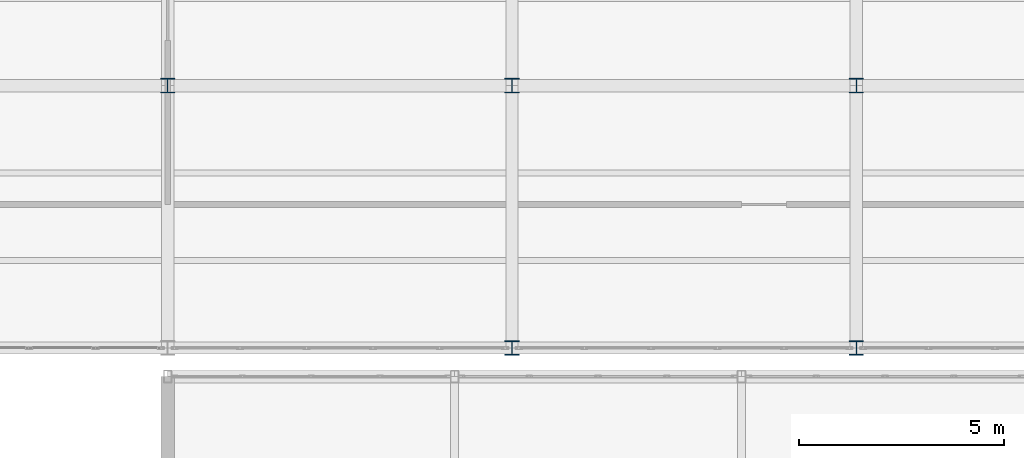
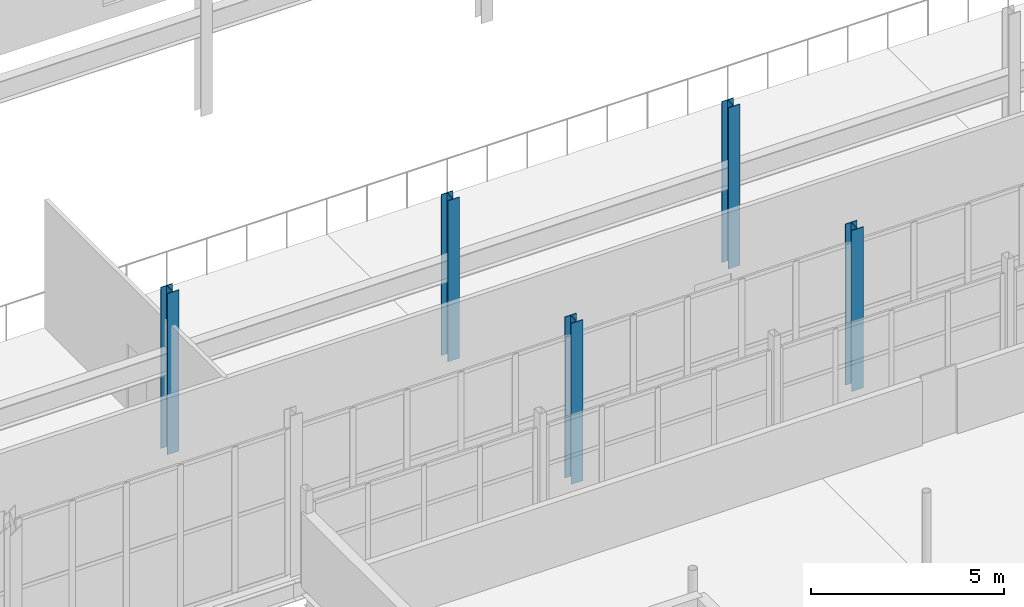
# One storey, part 7 of 218: 5 columns.
"""IFC4 building model written with IfcOpenShell, lengths in metres."""

import ifcopenshell
import ifcopenshell.guid

model = None  # the IFC model being written
_history = None  # IfcOwnerHistory: only IFC2X3 demands one
_inside = {}  # id of a spatial element -> (the spatial element, [elements in it])
_under = {}  # id of a project, library or spatial element -> (it, [spatial elements below it])
_declared = {}  # id of a project -> (the project, [libraries it declares])
_typed = {}  # id of a type object -> (the type object, [elements of that type])
_made_of = {}  # id of a material, layer set ... -> (it, [elements and type objects made of it])


def new_model(schema):
    """Start an empty IFC model of exactly this schema.

    Asked for "IFC4X3", IfcOpenShell would pick the latest addendum, in which some entities
    have other attributes; the version numbers below select the first issue.
    IFC2X3 requires an IfcOwnerHistory on every rooted entity: one is made here for all.
    """
    global model, _history
    if schema == "IFC4X3":
        model = ifcopenshell.file(schema_version=(4, 3, 0, 0))
    else:
        model = ifcopenshell.file(schema=schema)
    _inside.clear()
    _under.clear()
    _declared.clear()
    _typed.clear()
    _made_of.clear()
    _history = None
    if model.schema == "IFC2X3":
        org = make("IfcOrganization", Name="unknown")
        user = make(
            "IfcPersonAndOrganization",
            ThePerson=make("IfcPerson", FamilyName="unknown"),
            TheOrganization=org,
        )
        app = make(
            "IfcApplication",
            ApplicationDeveloper=org,
            Version="unknown",
            ApplicationFullName="unknown",
            ApplicationIdentifier="unknown",
        )
        _history = make(
            "IfcOwnerHistory",
            OwningUser=user,
            OwningApplication=app,
            ChangeAction="ADDED",
            CreationDate=0,
        )
    return model


def make(cls, **values):
    """One entity of the class cls with the attributes given. An attribute that is None is left unset."""
    return model.create_entity(
        cls, **{name: value for name, value in values.items() if value is not None}
    )


def rooted(cls, **values):
    """An entity with a GlobalId (a new one), such as an element, a storey or a relation."""
    return make(cls, GlobalId=ifcopenshell.guid.new(), OwnerHistory=_history, **values)


def si_unit(unit_type, name, prefix=None):
    """IfcSIUnit, for example si_unit("LENGTHUNIT", "METRE", prefix="MILLI")."""
    return make("IfcSIUnit", UnitType=unit_type, Prefix=prefix, Name=name)


def assignment(units):
    """IfcUnitAssignment: the units of a project."""
    return None if units is None else make("IfcUnitAssignment", Units=units)


def point(xyz):
    """IfcCartesianPoint."""
    return None if xyz is None else make("IfcCartesianPoint", Coordinates=xyz)


def direction(xyz):
    """IfcDirection."""
    return None if xyz is None else make("IfcDirection", DirectionRatios=xyz)


def frame(location, z_axis=None, x_axis=None):
    """IfcAxis2Placement3D, a coordinate frame: its origin and axes. An axis left out is left unset."""
    return make(
        "IfcAxis2Placement3D",
        Location=point(location),
        Axis=direction(z_axis),
        RefDirection=direction(x_axis),
    )


def frame_2d(location, x_axis=None):
    """IfcAxis2Placement2D, a coordinate frame in the plane: its origin and x axis."""
    return make(
        "IfcAxis2Placement2D", Location=point(location), RefDirection=direction(x_axis)
    )


def origin():
    """The frame at (0, 0, 0) with its axes left unset."""
    return frame((0.0, 0.0, 0.0))


def origin_2d():
    """The frame at (0, 0) in the plane with its x axis left unset."""
    return frame_2d((0.0, 0.0))


def place(relative_to, where):
    """IfcLocalPlacement: puts the frame where relative to a parent placement (None: the world)."""
    return make(
        "IfcLocalPlacement", PlacementRelTo=relative_to, RelativePlacement=where
    )


def context(
    kind, dimensions, precision=None, world=None, true_north=None, identifier=None
):
    """IfcGeometricRepresentationContext, for example the 3D "Model" context."""
    return make(
        "IfcGeometricRepresentationContext",
        ContextIdentifier=identifier,
        ContextType=kind,
        CoordinateSpaceDimension=dimensions,
        Precision=precision,
        WorldCoordinateSystem=world,
        TrueNorth=true_north,
    )


def subcontext(parent, identifier, kind, view, scale=None):
    """IfcGeometricRepresentationSubContext, for example "Body" below "Model"."""
    return make(
        "IfcGeometricRepresentationSubContext",
        ContextIdentifier=identifier,
        ContextType=kind,
        ParentContext=parent,
        TargetScale=scale,
        TargetView=view,
    )


def project(units=None, contexts=None):
    """IfcProject with its units and contexts."""
    return rooted(
        "IfcProject",
        Name="project",
        RepresentationContexts=contexts,
        UnitsInContext=assignment(units),
    )


def spatial(cls, under=None, at=None, **own):
    """A site, building, storey or space (cls), placed at a placement, below another one or the project."""
    s = rooted(cls, ObjectPlacement=at, **own)
    if under is not None:
        _under.setdefault(under.id(), (under, []))[1].append(s)
    return s


def profile(cls, at=None, kind="AREA", **sizes):
    """A parametric profile (cls). Its sizes go by their IFC names, for example OverallWidth=200.0."""
    return make(cls, ProfileType=kind, Position=at, **sizes)


def i_section(**sizes):
    """IfcIShapeProfileDef."""
    return profile("IfcIShapeProfileDef", **sizes)


def extrude(swept, where, along, depth):
    """IfcExtrudedAreaSolid: the profile swept, set in the frame where, extruded along a direction by depth."""
    return make(
        "IfcExtrudedAreaSolid",
        SweptArea=swept,
        Position=where,
        ExtrudedDirection=direction(along),
        Depth=depth,
    )


def shape(context_of_items, identifier, shape_type, items):
    """IfcShapeRepresentation: the items that make up one representation, for example the "Body"."""
    return make(
        "IfcShapeRepresentation",
        ContextOfItems=context_of_items,
        RepresentationIdentifier=identifier,
        RepresentationType=shape_type,
        Items=items,
    )


def material(Name=None, Category=None):
    """IfcMaterial."""
    return make("IfcMaterial", Name=Name, Category=Category)


def material_profile(
    of_material, cross_section, Name=None, Category=None, Priority=None
):
    """IfcMaterialProfile: a cross section and its material."""
    return make(
        "IfcMaterialProfile",
        Name=Name,
        Material=of_material,
        Profile=cross_section,
        Priority=Priority,
        Category=Category,
    )


def profile_set(profiles, Name=None, composite=None):
    """IfcMaterialProfileSet."""
    return make(
        "IfcMaterialProfileSet",
        Name=Name,
        MaterialProfiles=profiles,
        CompositeProfile=composite,
    )


def made_of(thing, what):
    """Note that an element or type object is made of a material, layer set ...; save() writes the relation."""
    if what is not None:
        _made_of.setdefault(what.id(), (what, []))[1].append(thing)
    return thing


def type_object(cls, material=None, **own):
    """A type object (cls), such as IfcWallType, which elements share."""
    return made_of(rooted(cls, **own), material)


def element(
    cls,
    number,
    at=None,
    inside=None,
    cuts=None,
    type_object=None,
    material=None,
    context=None,
    identifier="Body",
    shape_type=None,
    held_by="IfcProductDefinitionShape",
    body=None,
    shapes=None,
    **own,
):
    """One element of the class cls, such as IfcWall. Its Tag is "e" and its number.

    at: its placement. inside: the storey or other place that contains it. cuts: it is an
    opening in that element (IfcRelVoidsElement). A single representation is given by context,
    identifier, shape_type and body (its items); several are given by shapes. held_by: the class
    of the entity that holds the representations. save() writes the other relations.
    """
    e = rooted(cls, Tag="e%d" % number, ObjectPlacement=at, **own)
    if body is not None:
        shapes = [shape(context, identifier, shape_type, body)]
    if shapes is not None:
        e.Representation = make(held_by, Representations=shapes)
    if inside is not None:
        _inside.setdefault(inside.id(), (inside, []))[1].append(e)
    if cuts is not None:
        rooted(
            "IfcRelVoidsElement", RelatingBuildingElement=cuts, RelatedOpeningElement=e
        )
    if type_object is not None:
        _typed.setdefault(type_object.id(), (type_object, []))[1].append(e)
    return made_of(e, material)


def aggregate(whole, parts):
    """IfcRelAggregates: a whole, such as a stair, and the parts it consists of."""
    return rooted("IfcRelAggregates", RelatingObject=whole, RelatedObjects=parts)


def save(model, path):
    """Write the relations noted so far, then the file.

    IfcRelAggregates (storeys below a building ...), IfcRelContainedInSpatialStructure (elements
    in a storey), IfcRelDefinesByType, IfcRelAssociatesMaterial and IfcRelDeclares: one each for
    every whole, place, type object, material and project.
    """
    for whole, parts in _under.values():
        aggregate(whole, parts)
    for where, things in _inside.values():
        rooted(
            "IfcRelContainedInSpatialStructure",
            RelatedElements=things,
            RelatingStructure=where,
        )
    for kind, things in _typed.values():
        rooted("IfcRelDefinesByType", RelatedObjects=things, RelatingType=kind)
    for what, things in _made_of.values():
        rooted("IfcRelAssociatesMaterial", RelatedObjects=things, RelatingMaterial=what)
    for by, libraries in _declared.values():
        rooted("IfcRelDeclares", RelatingContext=by, RelatedDefinitions=libraries)
    model.write(path)


model = new_model("IFC4")

# Units and contexts
model_context = context("Model", 3, precision=1e-05, world=origin(), true_north=direction((0.0, 1.0)))
body_context = subcontext(model_context, "Body", "Model", "MODEL_VIEW")
ifc_project = project(units=[si_unit("LENGTHUNIT", "METRE"), si_unit("AREAUNIT", "SQUARE_METRE"), si_unit("VOLUMEUNIT", "CUBIC_METRE"), si_unit("PLANEANGLEUNIT", "RADIAN"), si_unit("MASSUNIT", "GRAM", prefix="KILO")], contexts=[model_context])

# Site, building, storey
site_placement = place(None, origin())
site = spatial("IfcSite", under=ifc_project, at=site_placement, CompositionType="ELEMENT")
building_placement = place(site_placement, origin())
building = spatial("IfcBuilding", under=site, at=building_placement, Name="Kazenagashi Tramway Depot", CompositionType="ELEMENT")
storey_placement = place(building_placement, frame((0.0, 0.0, 6.0)))
storey = spatial("IfcBuildingStorey", under=building, at=storey_placement, Name="L02", CompositionType="ELEMENT", Elevation=6.0)

# Columns
ifc_material = material(Name="Steel SN490B", Category="steel")
ifc_material_profile = material_profile(ifc_material, i_section(OverallWidth=0.35, OverallDepth=0.35, WebThickness=0.012, FlangeThickness=0.019, at=origin_2d()), Name="H-350x350x12x19")
ifc_profile_set = profile_set([ifc_material_profile], Name="Steel SN490B")
column_type = type_object("IfcColumnType", Name="C-04", PredefinedType="COLUMN", material=ifc_profile_set)
for number, where, z_axis, x_axis, name in (
    (1, (103.6, 22.9, 0.0), (0.0, 0.0, 1.0), (1.0, 0.0, 0.0), "Column C-04 COL-0268"),
    (2, (112.0, 16.5, 0.0), (0.0, 0.0, 1.0), (1.0, 0.0, 0.0), "Column C-04 COL-0281"),
    (3, (112.0, 22.9, 0.0), (0.0, 0.0, 1.0), (1.0, 0.0, 0.0), "Column C-04 COL-0285"),
    (4, (120.4, 16.5, 0.0), (0.0, 0.0, 1.0), (1.0, 0.0, 0.0), "Column C-04 COL-0298"),
    (5, (120.4, 22.9, 0.0), (0.0, 0.0, 1.0), (1.0, 0.0, 0.0), "Column C-04 COL-0302"),
):
    element("IfcColumn", number, at=place(storey_placement, frame(where, z_axis=z_axis, x_axis=x_axis)), inside=storey, type_object=column_type, Name=name, PredefinedType="COLUMN", context=body_context, shape_type="SweptSolid", body=[
        extrude(i_section(OverallWidth=0.35, OverallDepth=0.35, WebThickness=0.012, FlangeThickness=0.019, at=origin_2d()), origin(), (0.0, 0.0, 1.0), 5.1),
    ])

save(model, "model.ifc")
